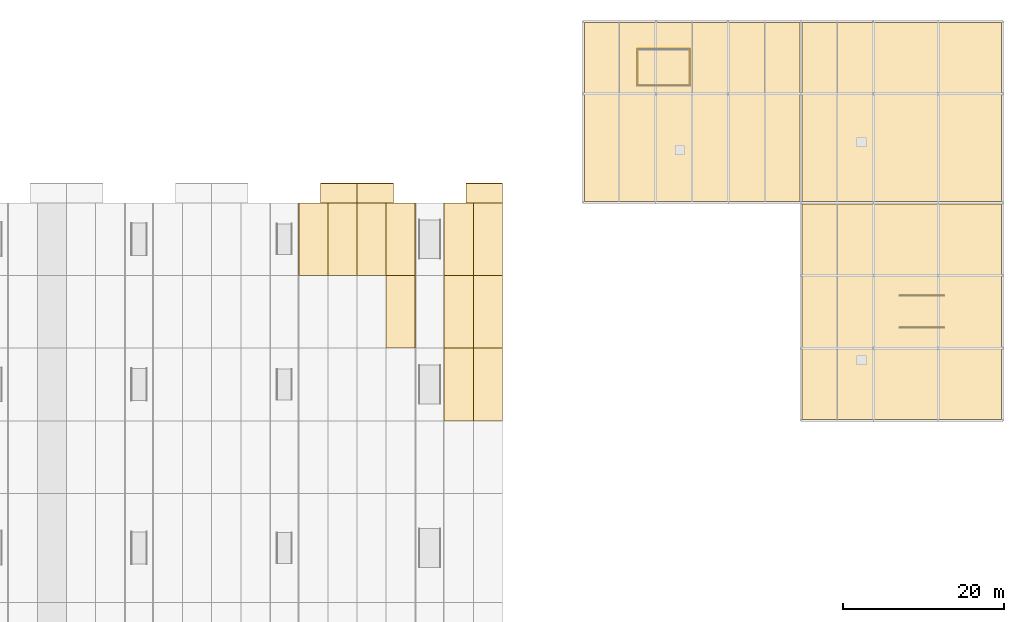
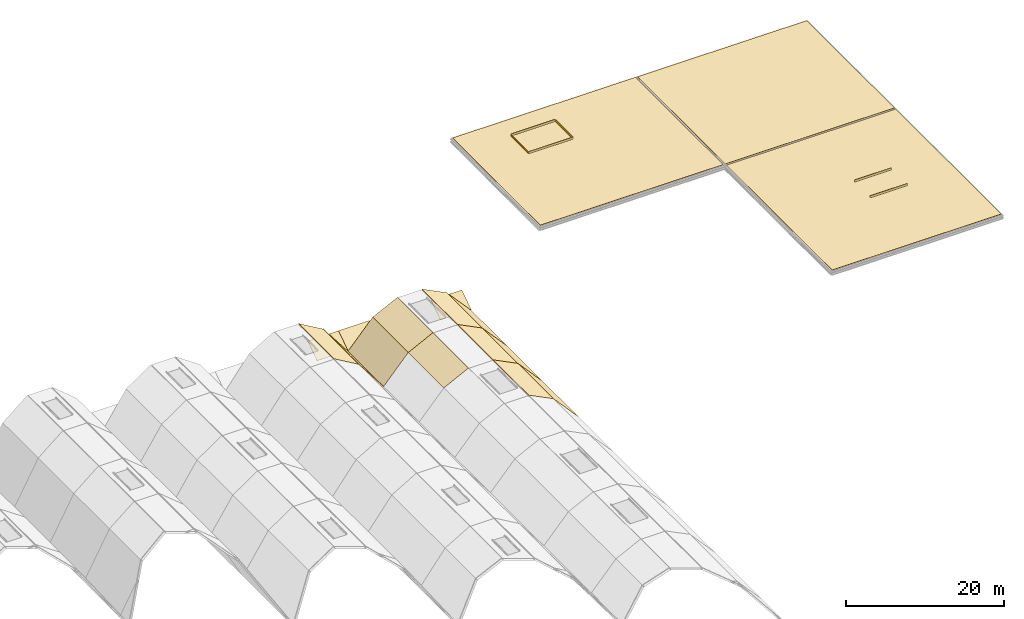
# One storey, part 11 of 11: 23 coverings.
"""IFC4 building model written with IfcOpenShell, lengths in metres."""

from ifc_helpers import new_model, si_unit, direction, frame, origin, origin_2d, place, context, subcontext, project, spatial, polyline, rectangle, outline, extrude, material, layer, layer_set, type_object, element, save


model = new_model("IFC4")

# Units and contexts
model_context = context("Model", 3, precision=1e-05, world=origin(), true_north=direction((0.0, 1.0)))
body_context = subcontext(model_context, "Body", "Model", "MODEL_VIEW")
ifc_project = project(units=[si_unit("LENGTHUNIT", "METRE"), si_unit("AREAUNIT", "SQUARE_METRE"), si_unit("VOLUMEUNIT", "CUBIC_METRE"), si_unit("PLANEANGLEUNIT", "RADIAN"), si_unit("MASSUNIT", "GRAM", prefix="KILO")], contexts=[model_context])

# Site, building, storey
site_placement = place(None, origin())
site = spatial("IfcSite", under=ifc_project, at=site_placement, CompositionType="ELEMENT")
building_placement = place(site_placement, origin())
building = spatial("IfcBuilding", under=site, at=building_placement, Name="Chuanluo Vaults Station", CompositionType="ELEMENT")
storey_placement = place(building_placement, frame((0.0, 0.0, 24.0)))
storey = spatial("IfcBuildingStorey", under=building, at=storey_placement, Name="RF", CompositionType="ELEMENT", Elevation=24.0)

# Coverings
ifc_material_1 = material(Name="Perforated anodised aluminium panel", Category="aluminium")
ifc_layer_1 = layer(ifc_material_1, 0.050048828125)
ifc_layer_set_1 = layer_set([ifc_layer_1], Name="Perforated anodised aluminium panel")
covering_type_1 = type_object("IfcCoveringType", Name="COV-CLAD-PERF", PredefinedType="CLADDING", material=ifc_layer_set_1)
for number, where, z_axis, x_axis, name in (
    (1, (103.5, 103.5, -9.699951171875), (0.0, -0.554680662541, 0.832063316463), (1.0, 0.0, 0.0), "Vault V6 upturned eave cusp soffit N-E"),
    (2, (108.0, 103.5, -9.699951171875), (0.0, -0.554680662541, 0.832063316463), (1.0, 0.0, 0.0), "Vault V7 upturned eave cusp soffit N-W"),
    (3, (121.5, 103.5, -9.699951171875), (0.0, -0.554680662541, 0.832063316463), (1.0, 0.0, 0.0), "Vault V7 upturned eave cusp soffit N-E"),
):
    element("IfcCovering", number, at=place(storey_placement, frame(where, z_axis=z_axis, x_axis=x_axis)), inside=storey, type_object=covering_type_1, Name=name, PredefinedType="CLADDING", context=body_context, shape_type="SweptSolid", body=[
        extrude(outline(polyline([(0.0, 0.0), (4.5, 0.0), (4.5, 2.8842785113429), (0.0, 2.8842785113429), (0.0, 0.0)])), origin(), (0.0, 0.0, -1.0), 0.050048828125),
    ])
for number, where, z_axis, x_axis, name in (
    (4, (146.0, 118.050048828125, -0.33984375), (0.0, 0.0, 1.0), (1.0, 0.0, 0.0), "Perforated acoustic cladding panel 01"),
    (5, (146.0, 122.550048828125, -0.33984375), (0.0, 0.0, 1.0), (1.0, 0.0, 0.0), "Perforated acoustic cladding panel 02"),
):
    element("IfcCovering", number, at=place(storey_placement, frame(where, z_axis=z_axis, x_axis=x_axis)), inside=storey, type_object=covering_type_1, Name=name, PredefinedType="CLADDING", context=body_context, shape_type="SweptSolid", body=[
        extrude(rectangle(XDim=6.39990234375, YDim=0.050048828125, at=origin_2d()), origin(), (0.0, 0.0, 1.0), 0.320068359375),
    ])
for number, where, z_axis, x_axis, name in (
    (6, (142.75, 120.300048828125, -0.33984375), (0.0, 0.0, 1.0), (0.0, 1.0, 0.0), "Perforated acoustic cladding panel 03"),
    (7, (149.25, 120.300048828125, -0.33984375), (0.0, 0.0, 1.0), (0.0, 1.0, 0.0), "Perforated acoustic cladding panel 04"),
):
    element("IfcCovering", number, at=place(storey_placement, frame(where, z_axis=z_axis, x_axis=x_axis)), inside=storey, type_object=covering_type_1, Name=name, PredefinedType="CLADDING", context=body_context, shape_type="SweptSolid", body=[
        extrude(rectangle(XDim=4.39990234375, YDim=0.050048828125, at=origin_2d()), origin(), (0.0, 0.0, 1.0), 0.320068359375),
    ])
for number, where, z_axis, x_axis, name in (
    (8, (178.0, 88.050048828125, -0.33984375), (0.0, 0.0, 1.0), (1.0, 0.0, 0.0), "Perforated acoustic cladding panel 05"),
    (9, (178.0, 92.050048828125, -0.33984375), (0.0, 0.0, 1.0), (1.0, 0.0, 0.0), "Perforated acoustic cladding panel 06"),
):
    element("IfcCovering", number, at=place(storey_placement, frame(where, z_axis=z_axis, x_axis=x_axis)), inside=storey, type_object=covering_type_1, Name=name, PredefinedType="CLADDING", context=body_context, shape_type="SweptSolid", body=[
        extrude(rectangle(XDim=5.39990234375, YDim=0.050048828125, at=origin_2d()), origin(), (0.0, 0.0, 1.0), 0.320068359375),
    ])
ifc_material_2 = material(Name="TPO waterproof roofing membrane")
ifc_layer_2 = layer(ifc_material_2, 0.044921875)
ifc_layer_set_2 = layer_set([ifc_layer_2], Name="TPO waterproof roofing membrane")
covering_type_2 = type_object("IfcCoveringType", Name="COV-ROOF-TPO", PredefinedType="ROOFING", material=ifc_layer_set_2)
covering_1_placement = place(storey_placement, frame((0.0, 0.0, -0.35009765625)))
element("IfcCovering", 10, at=covering_1_placement, inside=storey, type_object=covering_type_2, Name="Waterproof TPO roof membrane ROOF:RF:MAIN1", PredefinedType="ROOFING", context=body_context, shape_type="SweptSolid", body=[
    extrude(outline(polyline([(163.14990234375, 76.64990234375), (187.85009765625, 76.64990234375), (187.85009765625, 103.35009765625), (163.14990234375, 103.35009765625), (163.14990234375, 76.64990234375)])), origin(), (0.0, 0.0, 1.0), 0.045166015625),
])
covering_2_placement = place(storey_placement, frame((0.0, 0.0, -0.35009765625)))
element("IfcCovering", 11, at=covering_2_placement, inside=storey, type_object=covering_type_2, Name="Waterproof TPO roof membrane ROOF:RF:MAIN2", PredefinedType="ROOFING", context=body_context, shape_type="SweptSolid", body=[
    extrude(outline(polyline([(163.14990234375, 103.64990234375), (187.85009765625, 103.64990234375), (187.85009765625, 125.85009765625), (163.14990234375, 125.85009765625), (163.14990234375, 103.64990234375)])), origin(), (0.0, 0.0, 1.0), 0.045166015625),
])
covering_3_placement = place(storey_placement, frame((0.0, 0.0, -0.35009765625)))
element("IfcCovering", 12, at=covering_3_placement, inside=storey, type_object=covering_type_2, Name="Waterproof TPO roof membrane ROOF:RF:MAIN3", PredefinedType="ROOFING", context=body_context, shape_type="SweptSolid", body=[
    extrude(outline(polyline([(136.14990234375, 103.64990234375), (162.85009765625, 103.64990234375), (162.85009765625, 125.85009765625), (136.14990234375, 125.85009765625), (136.14990234375, 103.64990234375)])), origin(), (0.0, 0.0, 1.0), 0.045166015625),
])
covering_4_placement = place(storey_placement, frame((100.800048828125, 94.5, -3.0048828125), z_axis=(0.505343973972, 0.0, 0.862917996087), x_axis=(0.862917996087, 0.0, -0.505343973972)))
element("IfcCovering", 13, at=covering_4_placement, inside=storey, type_object=covering_type_2, Name="Vault V6 TPO roof membrane 8-R2", PredefinedType="ROOFING", context=body_context, shape_type="SweptSolid", body=[
    extrude(outline(polyline([(0.0, 0.0), (4.1717214520375405, 0.0), (4.1717214520375405, 9.000000000000002), (0.0, 9.000000000000002), (0.0, 0.0)])), origin(), (0.0, 0.0, -1.0), 0.044921875),
])
covering_5_placement = place(storey_placement, frame((104.39990234375, 94.5, -5.113037109375), z_axis=(0.793363110815, 0.0, 0.608748695602), x_axis=(0.608748695602, 0.0, -0.793363110815)))
element("IfcCovering", 14, at=covering_5_placement, inside=storey, type_object=covering_type_2, Name="Vault V6 TPO roof membrane 8-R1", PredefinedType="ROOFING", context=body_context, shape_type="SweptSolid", body=[
    extrude(outline(polyline([(0.0, 0.0), (5.913930793212785, 0.0), (5.913930793212785, 9.0), (0.0, 9.0), (0.0, 0.0)])), origin(), (0.0, 0.0, -1.0), 0.044921875),
])
covering_6_placement = place(storey_placement, frame((118.800048828125, 76.5, -4.0048828125), z_axis=(0.446849526259, 0.0, 0.89460913302), x_axis=(0.89460913302, 0.0, -0.446849526259)))
element("IfcCovering", 15, at=covering_6_placement, inside=storey, type_object=covering_type_2, Name="Vault V7 TPO roof membrane 6-R2", PredefinedType="ROOFING", context=body_context, shape_type="SweptSolid", body=[
    extrude(outline(polyline([(0.0, 0.0), (4.023940045720645, 0.0), (4.023940045720645, 9.0), (0.0, 9.0), (0.0, 0.0)])), origin(), (0.0, 0.0, -1.0), 0.044921875),
])
covering_7_placement = place(storey_placement, frame((122.39990234375, 76.5, -5.802978515625), z_axis=(0.743447479335, 0.0, 0.668794322247), x_axis=(0.668794322247, 0.0, -0.743447479335)))
element("IfcCovering", 16, at=covering_7_placement, inside=storey, type_object=covering_type_2, Name="Vault V7 TPO roof membrane 6-R1", PredefinedType="ROOFING", context=body_context, shape_type="SweptSolid", body=[
    extrude(outline(polyline([(0.0, 0.0), (5.382966835234452, 0.0), (5.382966835234452, 9.000000000000002), (0.0, 9.000000000000002), (0.0, 0.0)])), origin(), (0.0, 0.0, -1.0), 0.044921875),
])
for number, where, z_axis, x_axis, name in (
    (17, (111.60009765625, 85.5, -5.802978515625), (-0.446849526259, 0.0, 0.89460913302), (0.89460913302, 0.0, 0.446849526259), "Vault V7 TPO roof membrane 7-L2"),
    (18, (118.800048828125, 85.5, -4.0048828125), (0.446849526259, 0.0, 0.89460913302), (0.89460913302, 0.0, -0.446849526259), "Vault V7 TPO roof membrane 7-R2"),
):
    element("IfcCovering", number, at=place(storey_placement, frame(where, z_axis=z_axis, x_axis=x_axis)), inside=storey, type_object=covering_type_2, Name=name, PredefinedType="ROOFING", context=body_context, shape_type="SweptSolid", body=[
        extrude(outline(polyline([(0.0, 0.0), (4.023940045720645, 0.0), (4.023940045720645, 9.0), (0.0, 9.0), (0.0, 0.0)])), origin(), (0.0, 0.0, -1.0), 0.044921875),
    ])
for number, where, z_axis, x_axis, name in (
    (19, (122.39990234375, 85.5, -5.802978515625), (0.743447479335, 0.0, 0.668794322247), (0.668794322247, 0.0, -0.743447479335), "Vault V7 TPO roof membrane 7-R1"),
    (20, (108.0, 94.5, -9.804931640625), (-0.743447479335, 0.0, 0.668794322247), (0.668794322247, 0.0, 0.743447479335), "Vault V7 TPO roof membrane 8-L1"),
):
    element("IfcCovering", number, at=place(storey_placement, frame(where, z_axis=z_axis, x_axis=x_axis)), inside=storey, type_object=covering_type_2, Name=name, PredefinedType="ROOFING", context=body_context, shape_type="SweptSolid", body=[
        extrude(outline(polyline([(0.0, 0.0), (5.382966835234452, 0.0), (5.382966835234452, 9.000000000000002), (0.0, 9.000000000000002), (0.0, 0.0)])), origin(), (0.0, 0.0, -1.0), 0.044921875),
    ])
for number, where, z_axis, x_axis, name in (
    (21, (111.60009765625, 94.5, -5.802978515625), (-0.446849526259, 0.0, 0.89460913302), (0.89460913302, 0.0, 0.446849526259), "Vault V7 TPO roof membrane 8-L2"),
    (22, (118.800048828125, 94.5, -4.0048828125), (0.446849526259, 0.0, 0.89460913302), (0.89460913302, 0.0, -0.446849526259), "Vault V7 TPO roof membrane 8-R2"),
):
    element("IfcCovering", number, at=place(storey_placement, frame(where, z_axis=z_axis, x_axis=x_axis)), inside=storey, type_object=covering_type_2, Name=name, PredefinedType="ROOFING", context=body_context, shape_type="SweptSolid", body=[
        extrude(outline(polyline([(0.0, 0.0), (4.023940045720645, 0.0), (4.023940045720645, 9.0), (0.0, 9.0), (0.0, 0.0)])), origin(), (0.0, 0.0, -1.0), 0.044921875),
    ])
covering_8_placement = place(storey_placement, frame((122.39990234375, 94.5, -5.802978515625), z_axis=(0.743447479335, 0.0, 0.668794322247), x_axis=(0.668794322247, 0.0, -0.743447479335)))
element("IfcCovering", 23, at=covering_8_placement, inside=storey, type_object=covering_type_2, Name="Vault V7 TPO roof membrane 8-R1", PredefinedType="ROOFING", context=body_context, shape_type="SweptSolid", body=[
    extrude(outline(polyline([(0.0, 0.0), (5.382966835234452, 0.0), (5.382966835234452, 9.000000000000002), (0.0, 9.000000000000002), (0.0, 0.0)])), origin(), (0.0, 0.0, -1.0), 0.044921875),
])

save(model, "model.ifc")
